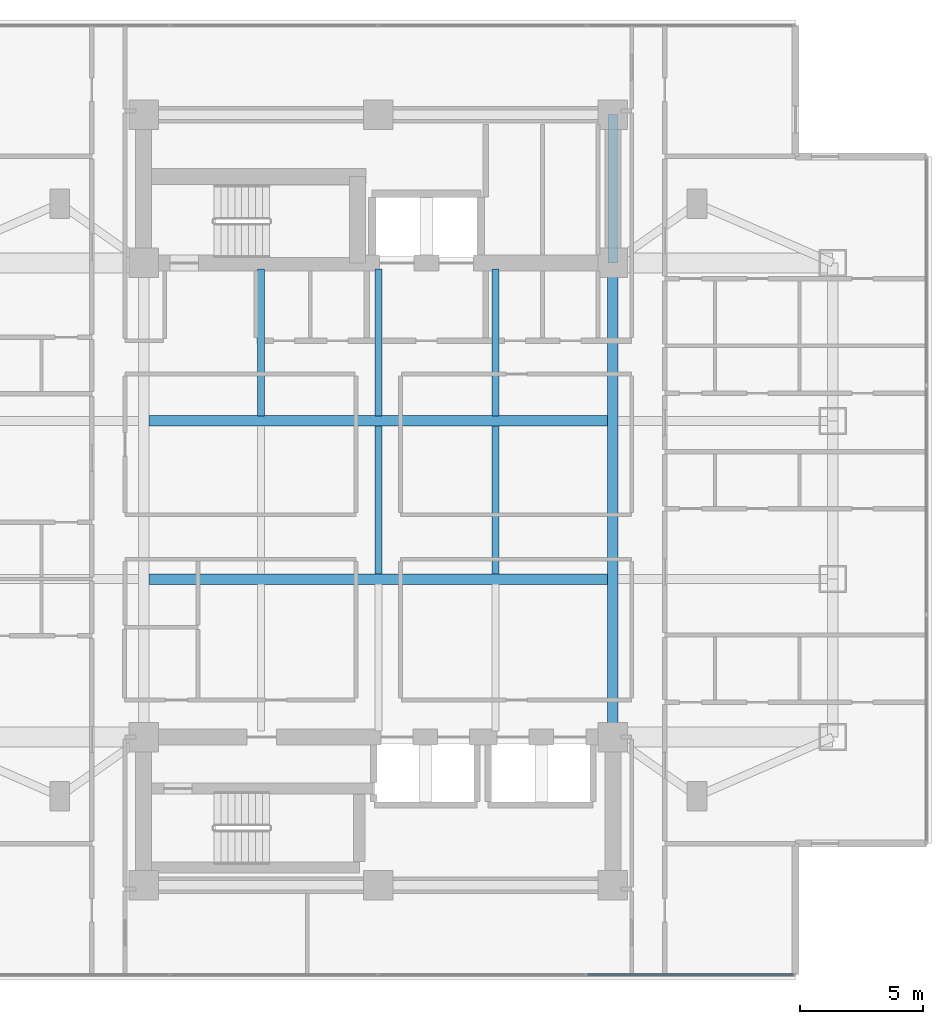
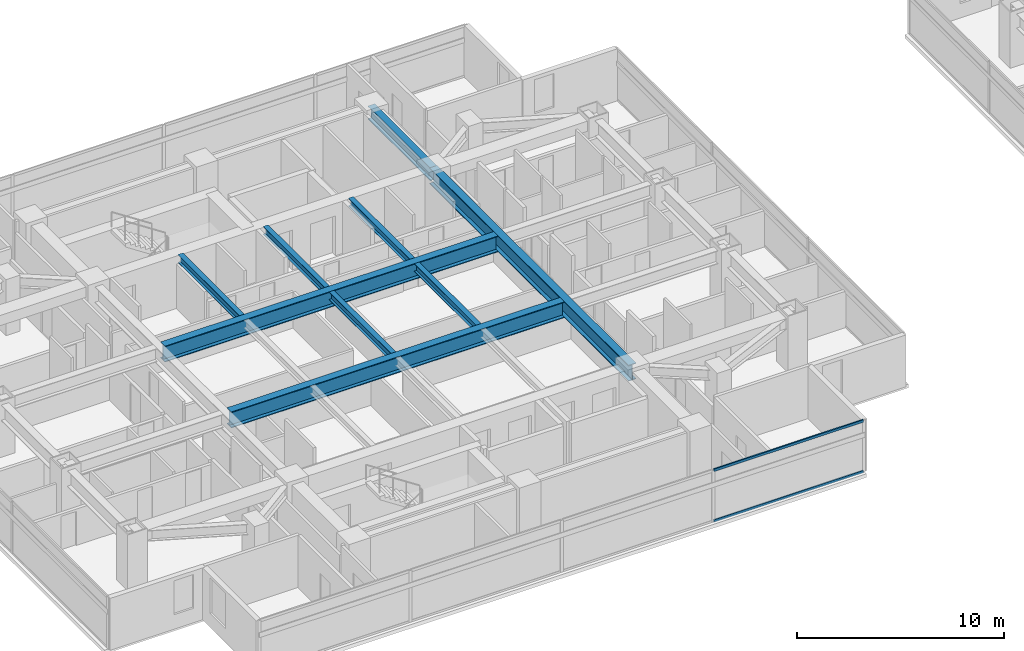
# One storey, part 4 of 25: 9 beams, 2 members, 1 element without a shape of its own.
"""IFC4 building model written with IfcOpenShell, lengths in metres."""

from ifc_helpers import new_model, si_unit, direction, frame, origin, origin_2d, place, context, subcontext, project, spatial, rectangle, i_section, extrude, material, material_profile, profile_set, type_object, element, aggregate, save


model = new_model("IFC4")

# Units and contexts
model_context = context("Model", 3, precision=1e-05, world=origin(), true_north=direction((0.0, 1.0)))
body_context = subcontext(model_context, "Body", "Model", "MODEL_VIEW")
ifc_project = project(units=[si_unit("LENGTHUNIT", "METRE"), si_unit("AREAUNIT", "SQUARE_METRE"), si_unit("VOLUMEUNIT", "CUBIC_METRE"), si_unit("PLANEANGLEUNIT", "RADIAN"), si_unit("MASSUNIT", "GRAM", prefix="KILO")], contexts=[model_context])

# Site, building, storey
site_placement = place(None, origin())
site = spatial("IfcSite", under=ifc_project, at=site_placement, CompositionType="ELEMENT")
building_placement = place(site_placement, origin())
building = spatial("IfcBuilding", under=site, at=building_placement, Name="Mirazonda Arch Towers", CompositionType="ELEMENT")
storey_placement = place(building_placement, frame((0.0, 0.0, 111.5)))
storey = spatial("IfcBuildingStorey", under=building, at=storey_placement, Name="L31", CompositionType="ELEMENT", Elevation=111.5)

# Beams
ifc_material_1 = material(Name="Steel ASTM A992 Grade 50", Category="steel")
ifc_material_profile_1 = material_profile(ifc_material_1, i_section(OverallWidth=0.280029296875, OverallDepth=0.462890625, WebThickness=0.0107421875, FlangeThickness=0.017333984375, at=origin_2d()), Name="W18X76")
ifc_profile_set_1 = profile_set([ifc_material_profile_1], Name="Steel ASTM A992 Grade 50")
beam_type_1 = type_object("IfcBeamType", Name="BM-INT-W18X76", PredefinedType="JOIST", material=ifc_profile_set_1)
for number, where, z_axis, x_axis, name in (
    (1, (15.75, 31.407470703125, 2.848388671875), (0.0, 1.0, 0.0), (-1.0, 0.0, 0.0), "L31 Floor Beam BM-T1-L31-J-157-31"),
    (2, (20.5, 31.407470703125, 2.848388671875), (0.0, 1.0, 0.0), (-1.0, 0.0, 0.0), "L31 Floor Beam BM-T1-L31-J-205-31"),
):
    element("IfcBeam", number, at=place(storey_placement, frame(where, z_axis=z_axis, x_axis=x_axis)), inside=storey, type_object=beam_type_1, Name=name, PredefinedType="JOIST", context=body_context, shape_type="SweptSolid", body=[
        extrude(i_section(OverallWidth=0.280029296875, OverallDepth=0.462890625, WebThickness=0.0107421875, FlangeThickness=0.017333984375, at=origin_2d()), origin(), (0.0, 0.0, 1.0), 5.95263671875),
    ])
beam_1_placement = place(storey_placement, frame((20.5, 25.007568359375, 2.848388671875), z_axis=(0.0, 1.0, 0.0), x_axis=(-1.0, 0.0, 0.0)))
element("IfcBeam", 3, at=beam_1_placement, inside=storey, type_object=beam_type_1, Name="L31 Floor Beam BM-T1-L31-J-205-24", PredefinedType="JOIST", context=body_context, shape_type="SweptSolid", body=[
    extrude(i_section(OverallWidth=0.280029296875, OverallDepth=0.462890625, WebThickness=0.0107421875, FlangeThickness=0.017333984375, at=origin_2d()), origin(), (0.0, 0.0, 1.0), 5.98486328125),
])
beam_2_placement = place(storey_placement, frame((25.25, 31.407470703125, 2.848388671875), z_axis=(0.0, 1.0, 0.0), x_axis=(-1.0, 0.0, 0.0)))
element("IfcBeam", 4, at=beam_2_placement, inside=storey, type_object=beam_type_1, Name="L31 Floor Beam BM-T1-L31-J-252-31", PredefinedType="JOIST", context=body_context, shape_type="SweptSolid", body=[
    extrude(i_section(OverallWidth=0.280029296875, OverallDepth=0.462890625, WebThickness=0.0107421875, FlangeThickness=0.017333984375, at=origin_2d()), origin(), (0.0, 0.0, 1.0), 5.95263671875),
])
beam_3_placement = place(storey_placement, frame((25.25, 25.007568359375, 2.848388671875), z_axis=(0.0, 1.0, 0.0), x_axis=(-1.0, 0.0, 0.0)))
element("IfcBeam", 5, at=beam_3_placement, inside=storey, type_object=beam_type_1, Name="L31 Floor Beam BM-T1-L31-J-252-24", PredefinedType="JOIST", context=body_context, shape_type="SweptSolid", body=[
    extrude(i_section(OverallWidth=0.280029296875, OverallDepth=0.462890625, WebThickness=0.0107421875, FlangeThickness=0.017333984375, at=origin_2d()), origin(), (0.0, 0.0, 1.0), 5.98486328125),
])
ifc_material_profile_2 = material_profile(ifc_material_1, i_section(OverallWidth=0.381103515625, OverallDepth=0.77294921875, WebThickness=0.0166015625, FlangeThickness=0.027099609375, at=origin_2d()), Name="W30X173")
ifc_profile_set_2 = profile_set([ifc_material_profile_2], Name="Steel ASTM A992 Grade 50")
beam_type_2 = type_object("IfcBeamType", Name="BM-INT-W30X173", PredefinedType="USERDEFINED", material=ifc_profile_set_2)
beam_4_placement = place(storey_placement, frame((30.0, 37.60009765625, 2.693603515625), z_axis=(0.0, 1.0, 0.0), x_axis=(-1.0, 0.0, 0.0)))
element("IfcBeam", 6, at=beam_4_placement, inside=storey, type_object=beam_type_2, Name="L31 Floor Beam BM-T1-L31-CNE", ObjectType="GIRDER", PredefinedType="USERDEFINED", context=body_context, shape_type="SweptSolid", body=[
    extrude(i_section(OverallWidth=0.381103515625, OverallDepth=0.77294921875, WebThickness=0.0166015625, FlangeThickness=0.027099609375, at=origin_2d()), origin(), (0.0, 0.0, 1.0), 6.0),
])
ifc_material_profile_3 = material_profile(ifc_material_1, i_section(OverallWidth=0.423095703125, OverallDepth=0.947998046875, WebThickness=0.02392578125, FlangeThickness=0.042724609375, at=origin_2d()), Name="W36X302")
ifc_profile_set_3 = profile_set([ifc_material_profile_3], Name="Steel ASTM A992 Grade 50")
beam_type_3 = type_object("IfcBeamType", Name="BM-INT-W36X302", PredefinedType="USERDEFINED", material=ifc_profile_set_3)
for number, where, z_axis, x_axis, name in (
    (7, (11.21142578125, 24.800048828125, 2.60595703125), (1.0, 0.0, 0.0), (0.0, 1.0, 0.0), "L31 Floor Beam BM-T1-L31-GC2"),
    (8, (11.21142578125, 31.199951171875, 2.60595703125), (1.0, 0.0, 0.0), (0.0, 1.0, 0.0), "L31 Floor Beam BM-T1-L31-GC3"),
):
    element("IfcBeam", number, at=place(storey_placement, frame(where, z_axis=z_axis, x_axis=x_axis)), inside=storey, type_object=beam_type_3, Name=name, ObjectType="GIRDER", PredefinedType="USERDEFINED", context=body_context, shape_type="SweptSolid", body=[
        extrude(i_section(OverallWidth=0.423095703125, OverallDepth=0.947998046875, WebThickness=0.02392578125, FlangeThickness=0.042724609375, at=origin_2d()), origin(), (0.0, 0.0, 1.0), 18.5771484375),
    ])
beam_5_placement = place(storey_placement, frame((30.0, 18.39990234375, 2.60595703125), z_axis=(0.0, 1.0, 0.0), x_axis=(-1.0, 0.0, 0.0)))
element("IfcBeam", 9, at=beam_5_placement, inside=storey, type_object=beam_type_3, Name="L31 Floor Beam BM-T1-L31-NS-CE-FULL", ObjectType="GIRDER", PredefinedType="USERDEFINED", context=body_context, shape_type="SweptSolid", body=[
    extrude(i_section(OverallWidth=0.423095703125, OverallDepth=0.947998046875, WebThickness=0.02392578125, FlangeThickness=0.042724609375, at=origin_2d()), origin(), (0.0, 0.0, 1.0), 19.2001953125),
])

# Curtain wall, members
ifc_material_2 = material(Name="Anodised Aluminium and Low-E Glass", Category="aluminium")
curtain_wall_type = type_object("IfcCurtainWallType", Name="CW-HTL-UNIT", PredefinedType="NOTDEFINED", material=ifc_material_2)
curtain_wall_placement = place(storey_placement, origin())
curtain_wall = element("IfcCurtainWall", 10, at=curtain_wall_placement, inside=storey, type_object=curtain_wall_type, Name="L31 T1 S Facade CW-L31-T1-S", PredefinedType="NOTDEFINED")
ifc_material_3 = material(Name="Anodised Aluminium Alloy", Category="aluminium")
ifc_material_profile_4 = material_profile(ifc_material_3, rectangle(XDim=0.074951171875, YDim=0.14501953125, at=origin_2d()), Name="ALU-TRAN-75x145")
ifc_profile_set_4 = profile_set([ifc_material_profile_4], Name="Anodised Aluminium Alloy")
member_type = type_object("IfcMemberType", Name="TRAN-CW-HTL-UNIT", PredefinedType="USERDEFINED", material=ifc_profile_set_4)
member_1_placement = place(storey_placement, frame((37.31005859375, 8.783935546875, 0.03759765625), z_axis=(-1.0, 0.0, 0.0), x_axis=(0.0, -1.0, 0.0)))
member_1 = element("IfcMember", 11, at=member_1_placement, type_object=member_type, Name="CW-112 transom 1.1", ObjectType="TRANSOM", PredefinedType="USERDEFINED", context=body_context, shape_type="SweptSolid", body=[
    extrude(rectangle(XDim=0.074951171875, YDim=0.14501953125, at=origin_2d()), origin(), (0.0, 0.0, 1.0), 8.330078125),
])
member_2_placement = place(storey_placement, frame((37.31005859375, 8.783935546875, 3.0224609375), z_axis=(-1.0, 0.0, 0.0), x_axis=(0.0, -1.0, 0.0)))
member_2 = element("IfcMember", 12, at=member_2_placement, type_object=member_type, Name="CW-112 transom 1.2", ObjectType="TRANSOM", PredefinedType="USERDEFINED", context=body_context, shape_type="SweptSolid", body=[
    extrude(rectangle(XDim=0.074951171875, YDim=0.14501953125, at=origin_2d()), origin(), (0.0, 0.0, 1.0), 8.330078125),
])
aggregate(curtain_wall, [member_1, member_2])

save(model, "model.ifc")
